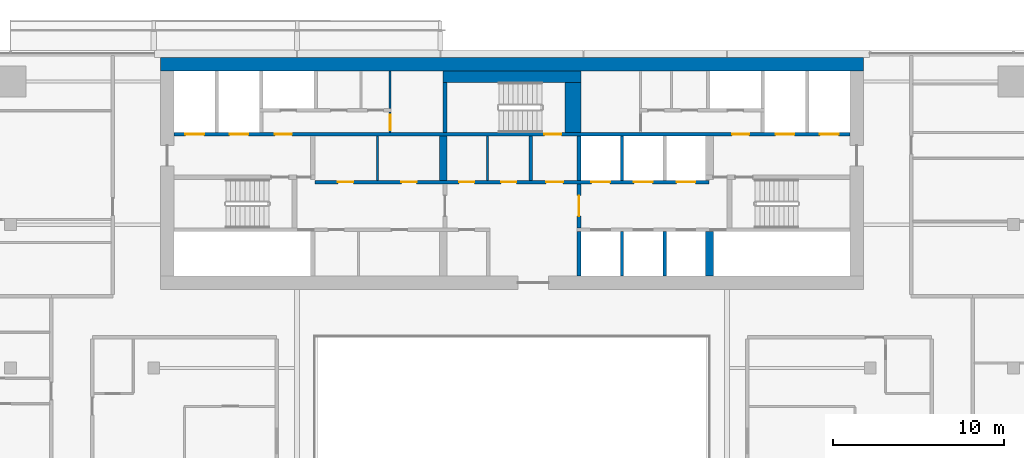
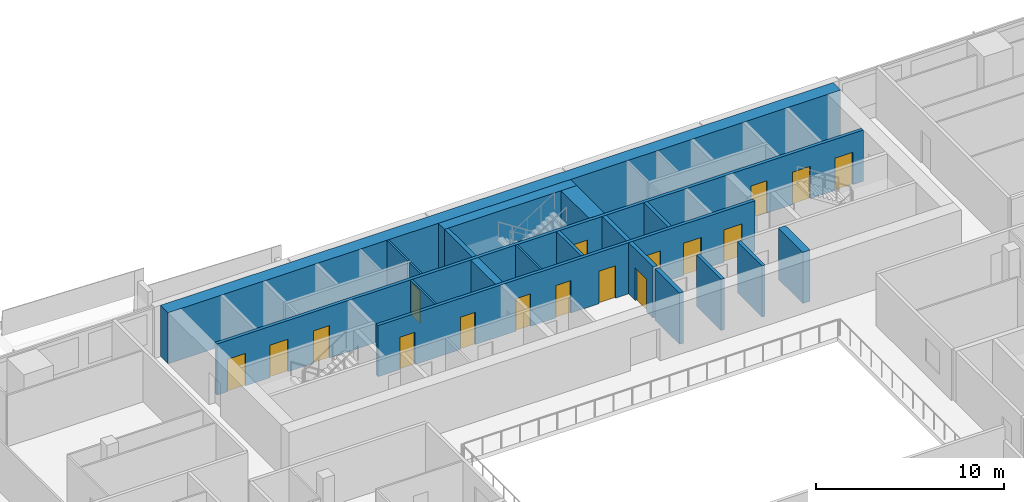
# One storey, part 21 of 28: 19 walls, 17 doors, 17 openings.
"""IFC4 building model written with IfcOpenShell, lengths in metres."""

import ifcopenshell
import ifcopenshell.guid

model = None  # the IFC model being written
_history = None  # IfcOwnerHistory: only IFC2X3 demands one
_inside = {}  # id of a spatial element -> (the spatial element, [elements in it])
_under = {}  # id of a project, library or spatial element -> (it, [spatial elements below it])
_declared = {}  # id of a project -> (the project, [libraries it declares])
_typed = {}  # id of a type object -> (the type object, [elements of that type])
_made_of = {}  # id of a material, layer set ... -> (it, [elements and type objects made of it])


def new_model(schema):
    """Start an empty IFC model of exactly this schema.

    Asked for "IFC4X3", IfcOpenShell would pick the latest addendum, in which some entities
    have other attributes; the version numbers below select the first issue.
    IFC2X3 requires an IfcOwnerHistory on every rooted entity: one is made here for all.
    """
    global model, _history
    if schema == "IFC4X3":
        model = ifcopenshell.file(schema_version=(4, 3, 0, 0))
    else:
        model = ifcopenshell.file(schema=schema)
    _inside.clear()
    _under.clear()
    _declared.clear()
    _typed.clear()
    _made_of.clear()
    _history = None
    if model.schema == "IFC2X3":
        org = make("IfcOrganization", Name="unknown")
        user = make(
            "IfcPersonAndOrganization",
            ThePerson=make("IfcPerson", FamilyName="unknown"),
            TheOrganization=org,
        )
        app = make(
            "IfcApplication",
            ApplicationDeveloper=org,
            Version="unknown",
            ApplicationFullName="unknown",
            ApplicationIdentifier="unknown",
        )
        _history = make(
            "IfcOwnerHistory",
            OwningUser=user,
            OwningApplication=app,
            ChangeAction="ADDED",
            CreationDate=0,
        )
    return model


def make(cls, **values):
    """One entity of the class cls with the attributes given. An attribute that is None is left unset."""
    return model.create_entity(
        cls, **{name: value for name, value in values.items() if value is not None}
    )


def rooted(cls, **values):
    """An entity with a GlobalId (a new one), such as an element, a storey or a relation."""
    return make(cls, GlobalId=ifcopenshell.guid.new(), OwnerHistory=_history, **values)


def si_unit(unit_type, name, prefix=None):
    """IfcSIUnit, for example si_unit("LENGTHUNIT", "METRE", prefix="MILLI")."""
    return make("IfcSIUnit", UnitType=unit_type, Prefix=prefix, Name=name)


def assignment(units):
    """IfcUnitAssignment: the units of a project."""
    return None if units is None else make("IfcUnitAssignment", Units=units)


def point(xyz):
    """IfcCartesianPoint."""
    return None if xyz is None else make("IfcCartesianPoint", Coordinates=xyz)


def direction(xyz):
    """IfcDirection."""
    return None if xyz is None else make("IfcDirection", DirectionRatios=xyz)


def frame(location, z_axis=None, x_axis=None):
    """IfcAxis2Placement3D, a coordinate frame: its origin and axes. An axis left out is left unset."""
    return make(
        "IfcAxis2Placement3D",
        Location=point(location),
        Axis=direction(z_axis),
        RefDirection=direction(x_axis),
    )


def frame_2d(location, x_axis=None):
    """IfcAxis2Placement2D, a coordinate frame in the plane: its origin and x axis."""
    return make(
        "IfcAxis2Placement2D", Location=point(location), RefDirection=direction(x_axis)
    )


def origin():
    """The frame at (0, 0, 0) with its axes left unset."""
    return frame((0.0, 0.0, 0.0))


def place(relative_to, where):
    """IfcLocalPlacement: puts the frame where relative to a parent placement (None: the world)."""
    return make(
        "IfcLocalPlacement", PlacementRelTo=relative_to, RelativePlacement=where
    )


def context(
    kind, dimensions, precision=None, world=None, true_north=None, identifier=None
):
    """IfcGeometricRepresentationContext, for example the 3D "Model" context."""
    return make(
        "IfcGeometricRepresentationContext",
        ContextIdentifier=identifier,
        ContextType=kind,
        CoordinateSpaceDimension=dimensions,
        Precision=precision,
        WorldCoordinateSystem=world,
        TrueNorth=true_north,
    )


def subcontext(parent, identifier, kind, view, scale=None):
    """IfcGeometricRepresentationSubContext, for example "Body" below "Model"."""
    return make(
        "IfcGeometricRepresentationSubContext",
        ContextIdentifier=identifier,
        ContextType=kind,
        ParentContext=parent,
        TargetScale=scale,
        TargetView=view,
    )


def project(units=None, contexts=None):
    """IfcProject with its units and contexts."""
    return rooted(
        "IfcProject",
        Name="project",
        RepresentationContexts=contexts,
        UnitsInContext=assignment(units),
    )


def spatial(cls, under=None, at=None, **own):
    """A site, building, storey or space (cls), placed at a placement, below another one or the project."""
    s = rooted(cls, ObjectPlacement=at, **own)
    if under is not None:
        _under.setdefault(under.id(), (under, []))[1].append(s)
    return s


def profile(cls, at=None, kind="AREA", **sizes):
    """A parametric profile (cls). Its sizes go by their IFC names, for example OverallWidth=200.0."""
    return make(cls, ProfileType=kind, Position=at, **sizes)


def rectangle(**sizes):
    """IfcRectangleProfileDef."""
    return profile("IfcRectangleProfileDef", **sizes)


def extrude(swept, where, along, depth):
    """IfcExtrudedAreaSolid: the profile swept, set in the frame where, extruded along a direction by depth."""
    return make(
        "IfcExtrudedAreaSolid",
        SweptArea=swept,
        Position=where,
        ExtrudedDirection=direction(along),
        Depth=depth,
    )


def shape(context_of_items, identifier, shape_type, items):
    """IfcShapeRepresentation: the items that make up one representation, for example the "Body"."""
    return make(
        "IfcShapeRepresentation",
        ContextOfItems=context_of_items,
        RepresentationIdentifier=identifier,
        RepresentationType=shape_type,
        Items=items,
    )


def material(Name=None, Category=None):
    """IfcMaterial."""
    return make("IfcMaterial", Name=Name, Category=Category)


def layer(
    of_material, thickness, ventilated=None, Name=None, Category=None, Priority=None
):
    """IfcMaterialLayer: one layer of a wall or slab, of a material (None: an air gap)."""
    return make(
        "IfcMaterialLayer",
        Material=of_material,
        LayerThickness=thickness,
        IsVentilated=ventilated,
        Name=Name,
        Category=Category,
        Priority=Priority,
    )


def layer_set(layers, Name=None):
    """IfcMaterialLayerSet."""
    return make("IfcMaterialLayerSet", MaterialLayers=layers, LayerSetName=Name)


def made_of(thing, what):
    """Note that an element or type object is made of a material, layer set ...; save() writes the relation."""
    if what is not None:
        _made_of.setdefault(what.id(), (what, []))[1].append(thing)
    return thing


def type_object(cls, material=None, **own):
    """A type object (cls), such as IfcWallType, which elements share."""
    return made_of(rooted(cls, **own), material)


def element(
    cls,
    number,
    at=None,
    inside=None,
    cuts=None,
    type_object=None,
    material=None,
    context=None,
    identifier="Body",
    shape_type=None,
    held_by="IfcProductDefinitionShape",
    body=None,
    shapes=None,
    **own,
):
    """One element of the class cls, such as IfcWall. Its Tag is "e" and its number.

    at: its placement. inside: the storey or other place that contains it. cuts: it is an
    opening in that element (IfcRelVoidsElement). A single representation is given by context,
    identifier, shape_type and body (its items); several are given by shapes. held_by: the class
    of the entity that holds the representations. save() writes the other relations.
    """
    e = rooted(cls, Tag="e%d" % number, ObjectPlacement=at, **own)
    if body is not None:
        shapes = [shape(context, identifier, shape_type, body)]
    if shapes is not None:
        e.Representation = make(held_by, Representations=shapes)
    if inside is not None:
        _inside.setdefault(inside.id(), (inside, []))[1].append(e)
    if cuts is not None:
        rooted(
            "IfcRelVoidsElement", RelatingBuildingElement=cuts, RelatedOpeningElement=e
        )
    if type_object is not None:
        _typed.setdefault(type_object.id(), (type_object, []))[1].append(e)
    return made_of(e, material)


def fill(opening, filler):
    """IfcRelFillsElement: the door or window that sits in an opening."""
    return rooted(
        "IfcRelFillsElement",
        RelatingOpeningElement=opening,
        RelatedBuildingElement=filler,
    )


def aggregate(whole, parts):
    """IfcRelAggregates: a whole, such as a stair, and the parts it consists of."""
    return rooted("IfcRelAggregates", RelatingObject=whole, RelatedObjects=parts)


def save(model, path):
    """Write the relations noted so far, then the file.

    IfcRelAggregates (storeys below a building ...), IfcRelContainedInSpatialStructure (elements
    in a storey), IfcRelDefinesByType, IfcRelAssociatesMaterial and IfcRelDeclares: one each for
    every whole, place, type object, material and project.
    """
    for whole, parts in _under.values():
        aggregate(whole, parts)
    for where, things in _inside.values():
        rooted(
            "IfcRelContainedInSpatialStructure",
            RelatedElements=things,
            RelatingStructure=where,
        )
    for kind, things in _typed.values():
        rooted("IfcRelDefinesByType", RelatedObjects=things, RelatingType=kind)
    for what, things in _made_of.values():
        rooted("IfcRelAssociatesMaterial", RelatedObjects=things, RelatingMaterial=what)
    for by, libraries in _declared.values():
        rooted("IfcRelDeclares", RelatingContext=by, RelatedDefinitions=libraries)
    model.write(path)


model = new_model("IFC4")

# Units and contexts
model_context = context("Model", 3, precision=1e-05, world=origin(), true_north=direction((0.0, 1.0)))
body_context = subcontext(model_context, "Body", "Model", "MODEL_VIEW")
ifc_project = project(units=[si_unit("LENGTHUNIT", "METRE"), si_unit("AREAUNIT", "SQUARE_METRE"), si_unit("VOLUMEUNIT", "CUBIC_METRE"), si_unit("PLANEANGLEUNIT", "RADIAN"), si_unit("MASSUNIT", "GRAM", prefix="KILO")], contexts=[model_context])

# Site, building, storey
site_placement = place(None, origin())
site = spatial("IfcSite", under=ifc_project, at=site_placement, CompositionType="ELEMENT")
building_placement = place(site_placement, origin())
building = spatial("IfcBuilding", under=site, at=building_placement, Name="Saffron Gate Tower", CompositionType="ELEMENT")
storey_placement = place(building_placement, frame((0.0, 0.0, 176.25)))
storey = spatial("IfcBuildingStorey", under=building, at=storey_placement, Name="L43", CompositionType="ELEMENT", Elevation=176.25)

# Walls
ifc_material_1 = material(Name="Gypsum board partition on steel studs", Category="steel")
ifc_layer_1 = layer(ifc_material_1, 0.199951171875)
ifc_layer_set_1 = layer_set([ifc_layer_1], Name="CW10 Core partition 200")
wall_type_1 = type_object("IfcWallType", Name="CW10 Core partition 200", PredefinedType="PARTITIONING", material=ifc_layer_set_1)
wall_1_placement = place(storey_placement, frame((88.699951171875, 68.0, 0.0), z_axis=(0.0, 0.0, 1.0), x_axis=(0.0, 1.0, 0.0)))
element("IfcWall", 1, at=wall_1_placement, inside=storey, type_object=wall_type_1, Name="Wall CW10-L43-23", PredefinedType="PARTITIONING", context=body_context, shape_type="SweptSolid", body=[
    extrude(rectangle(XDim=2.60009765625, YDim=0.199951171875, at=frame_2d((1.300048828125, 0.0))), origin(), (0.0, 0.0, 1.0), 3.320068359375),
])
ifc_material_2 = material(Name="Concrete C60", Category="concrete")
ifc_layer_2 = layer(ifc_material_2, 0.800048828125)
ifc_layer_set_2 = layer_set([ifc_layer_2], Name="CW13 RC core wall 800 C60")
wall_type_2 = type_object("IfcWallType", Name="CW13 RC core wall 800 C60", PredefinedType="SOLIDWALL", material=ifc_layer_set_2)
wall_2_placement = place(storey_placement, frame((67.0, 74.800048828125, 0.0), z_axis=(0.0, 0.0, 1.0), x_axis=(1.0, 0.0, 0.0)))
element("IfcWall", 2, at=wall_2_placement, inside=storey, type_object=wall_type_2, Name="Wall CW13-L43-2", PredefinedType="SOLIDWALL", context=body_context, shape_type="SweptSolid", body=[
    extrude(rectangle(XDim=41.199951171875, YDim=0.800048828125, at=frame_2d((20.60009765625, 0.0))), origin(), (0.0, 0.0, 1.0), 3.320068359375),
])
ifc_layer_3 = layer(ifc_material_2, 0.25)
ifc_layer_set_3 = layer_set([ifc_layer_3], Name="CW14 RC core wall 250 C60")
wall_type_3 = type_object("IfcWallType", Name="CW14 RC core wall 250 C60", PredefinedType="SOLIDWALL", material=ifc_layer_set_3)
wall_3_placement = place(storey_placement, frame((91.52490234375, 62.39990234375, 0.0), z_axis=(0.0, 0.0, 1.0), x_axis=(0.0, 1.0, 0.0)))
element("IfcWall", 3, at=wall_3_placement, inside=storey, type_object=wall_type_3, Name="Wall CW14-L43-9", PredefinedType="SOLIDWALL", context=body_context, shape_type="SweptSolid", body=[
    extrude(rectangle(XDim=2.60009765625, YDim=0.25, at=frame_2d((1.300048828125, 0.0))), origin(), (0.0, 0.0, 1.0), 3.320068359375),
])

# Wall, opening, door
wall_4_placement = place(storey_placement, frame((91.52490234375, 65.199951171875, 0.0), z_axis=(0.0, 0.0, 1.0), x_axis=(0.0, 1.0, 0.0)))
wall_4 = element("IfcWall", 4, at=wall_4_placement, inside=storey, type_object=wall_type_3, Name="Wall CW14-L43-17", PredefinedType="SOLIDWALL", context=body_context, shape_type="SweptSolid", body=[
    extrude(rectangle(XDim=2.60009765625, YDim=0.25, at=frame_2d((1.300048828125, 0.0))), origin(), (0.0, 0.0, 1.0), 3.320068359375),
])
opening_1_placement = place(wall_4_placement, frame((0.699951171875, 0.0, 0.0)))
opening_1 = element("IfcOpeningElement", 5, at=opening_1_placement, cuts=wall_4, Name="Opening CR-01", PredefinedType="OPENING", context=body_context, shape_type="SweptSolid", body=[
    extrude(rectangle(XDim=1.199951171875, YDim=2.10009765625, at=frame_2d((0.60009765625, 1.050048828125))), frame((0.0, 0.135009765625, 0.0), z_axis=(0.0, -1.0, 0.0), x_axis=(1.0, 0.0, 0.0)), (0.0, 0.0, 1.0), 0.27001953125),
])
ifc_material_3 = material(Name="Steel fire door set", Category="steel")
door_type_1 = type_object("IfcDoorType", Name="CD3 Lobby door 1200x2100 EI 120", OperationType="NOTDEFINED", PredefinedType="DOOR", material=ifc_material_3)
door_1_placement = place(opening_1_placement, origin())
door_1 = element("IfcDoor", 6, at=door_1_placement, inside=storey, type_object=door_type_1, Name="DOOR CR-01", OperationType="SINGLE_SWING_RIGHT", OverallHeight=2.10009765625, OverallWidth=1.199951171875, PredefinedType="DOOR", context=body_context, shape_type="SweptSolid", body=[
    extrude(rectangle(XDim=1.199951171875, YDim=2.10009765625, at=frame_2d((0.60009765625, 1.050048828125))), frame((0.0, 0.02490234375, 0.0), z_axis=(0.0, -1.0, 0.0), x_axis=(1.0, 0.0, 0.0)), (0.0, 0.0, 1.0), 0.050048828125),
])
fill(opening_1, door_1)

# Walls
wall_5_placement = place(storey_placement, frame((91.52490234375, 68.0, 0.0), z_axis=(0.0, 0.0, 1.0), x_axis=(0.0, 1.0, 0.0)))
element("IfcWall", 7, at=wall_5_placement, inside=storey, type_object=wall_type_3, Name="Wall CW14-L43-24", PredefinedType="SOLIDWALL", context=body_context, shape_type="SweptSolid", body=[
    extrude(rectangle(XDim=2.60009765625, YDim=0.25, at=frame_2d((1.300048828125, 0.0))), origin(), (0.0, 0.0, 1.0), 3.320068359375),
])
wall_6_placement = place(storey_placement, frame((83.675048828125, 70.800048828125, 0.0), z_axis=(0.0, 0.0, 1.0), x_axis=(0.0, 1.0, 0.0)))
element("IfcWall", 8, at=wall_6_placement, inside=storey, type_object=wall_type_3, Name="Wall CW14-L43-36", PredefinedType="SOLIDWALL", context=body_context, shape_type="SweptSolid", body=[
    extrude(rectangle(XDim=2.949951171875, YDim=0.25, at=frame_2d((1.47509765625, 0.0))), origin(), (0.0, 0.0, 1.0), 3.320068359375),
])
ifc_layer_4 = layer(ifc_material_2, 0.199951171875)
ifc_layer_set_4 = layer_set([ifc_layer_4], Name="CW15 RC core wall 200 C60")
wall_type_4 = type_object("IfcWallType", Name="CW15 RC core wall 200 C60", PredefinedType="SOLIDWALL", material=ifc_layer_set_4)
for number, where, z_axis, x_axis, name in (
    (9, (94.050048828125, 62.39990234375, 0.0), (0.0, 0.0, 1.0), (0.0, 1.0, 0.0), "Wall CW15-L43-10"),
    (10, (96.550048828125, 62.39990234375, 0.0), (0.0, 0.0, 1.0), (0.0, 1.0, 0.0), "Wall CW15-L43-11"),
):
    element("IfcWall", number, at=place(storey_placement, frame(where, z_axis=z_axis, x_axis=x_axis)), inside=storey, type_object=wall_type_4, Name=name, PredefinedType="SOLIDWALL", context=body_context, shape_type="SweptSolid", body=[
        extrude(rectangle(XDim=2.60009765625, YDim=0.199951171875, at=frame_2d((1.300048828125, 0.0))), origin(), (0.0, 0.0, 1.0), 3.320068359375),
    ])

# Wall, openings, doors
wall_7_placement = place(storey_placement, frame((76.050048828125, 67.89990234375, 0.0), z_axis=(0.0, 0.0, 1.0), x_axis=(1.0, 0.0, 0.0)))
wall_7 = element("IfcWall", 11, at=wall_7_placement, inside=storey, type_object=wall_type_4, Name="Wall CW15-L43-19", PredefinedType="SOLIDWALL", context=body_context, shape_type="SweptSolid", body=[
    extrude(rectangle(XDim=23.099853515625, YDim=0.199951171875, at=frame_2d((11.5498046875, 0.0))), origin(), (0.0, 0.0, 1.0), 3.320068359375),
])
opening_2_placement = place(wall_7_placement, frame((1.35009765625, 0.0, 0.0)))
opening_2 = element("IfcOpeningElement", 12, at=opening_2_placement, cuts=wall_7, Name="Opening CR-61", PredefinedType="OPENING", context=body_context, shape_type="SweptSolid", body=[
    extrude(rectangle(XDim=0.89990234375, YDim=2.10009765625, at=frame_2d((0.449951171875, 1.050048828125))), frame((0.0, 0.10986328125, 0.0), z_axis=(0.0, -1.0, 0.0), x_axis=(1.0, 0.0, 0.0)), (0.0, 0.0, 1.0), 0.219970703125),
])
opening_3_placement = place(wall_7_placement, frame((5.06005859375, 0.0, 0.0)))
opening_3 = element("IfcOpeningElement", 13, at=opening_3_placement, cuts=wall_7, Name="Opening CR-62", PredefinedType="OPENING", context=body_context, shape_type="SweptSolid", body=[
    extrude(rectangle(XDim=0.89990234375, YDim=2.10009765625, at=frame_2d((0.449951171875, 1.050048828125))), frame((0.0, 0.10986328125, 0.0), z_axis=(0.0, -1.0, 0.0), x_axis=(1.0, 0.0, 0.0)), (0.0, 0.0, 1.0), 0.219970703125),
])
opening_4_placement = place(wall_7_placement, frame((8.449951171875, 0.0, 0.0)))
opening_4 = element("IfcOpeningElement", 14, at=opening_4_placement, cuts=wall_7, Name="Opening CR-67", PredefinedType="OPENING", context=body_context, shape_type="SweptSolid", body=[
    extrude(rectangle(XDim=0.89990234375, YDim=2.10009765625, at=frame_2d((0.449951171875, 1.050048828125))), frame((0.0, 0.10986328125, 0.0), z_axis=(0.0, -1.0, 0.0), x_axis=(1.0, 0.0, 0.0)), (0.0, 0.0, 1.0), 0.219970703125),
])
opening_5_placement = place(wall_7_placement, frame((10.909912109375, 0.0, 0.0)))
opening_5 = element("IfcOpeningElement", 15, at=opening_5_placement, cuts=wall_7, Name="Opening CR-68", PredefinedType="OPENING", context=body_context, shape_type="SweptSolid", body=[
    extrude(rectangle(XDim=0.89990234375, YDim=2.10009765625, at=frame_2d((0.449951171875, 1.050048828125))), frame((0.0, 0.10986328125, 0.0), z_axis=(0.0, -1.0, 0.0), x_axis=(1.0, 0.0, 0.0)), (0.0, 0.0, 1.0), 0.219970703125),
])
opening_6_placement = place(wall_7_placement, frame((13.550048828125, 0.0, 0.0)))
opening_6 = element("IfcOpeningElement", 16, at=opening_6_placement, cuts=wall_7, Name="Opening CR-02", PredefinedType="OPENING", context=body_context, shape_type="SweptSolid", body=[
    extrude(rectangle(XDim=1.0, YDim=2.10009765625, at=frame_2d((0.5, 1.050048828125))), frame((0.0, 0.10986328125, 0.0), z_axis=(0.0, -1.0, 0.0), x_axis=(1.0, 0.0, 0.0)), (0.0, 0.0, 1.0), 0.219970703125),
])
opening_7_placement = place(wall_7_placement, frame((16.199951171875, 0.0, 0.0)))
opening_7 = element("IfcOpeningElement", 17, at=opening_7_placement, cuts=wall_7, Name="Opening LD-HR4", PredefinedType="OPENING", context=body_context, shape_type="SweptSolid", body=[
    extrude(rectangle(XDim=1.10009765625, YDim=2.10009765625, at=frame_2d((0.550048828125, 1.050048828125))), frame((0.0, 0.10986328125, 0.0), z_axis=(0.0, -1.0, 0.0), x_axis=(1.0, 0.0, 0.0)), (0.0, 0.0, 1.0), 0.219970703125),
])
opening_8_placement = place(wall_7_placement, frame((18.699951171875, 0.0, 0.0)))
opening_8 = element("IfcOpeningElement", 18, at=opening_8_placement, cuts=wall_7, Name="Opening LD-HR5", PredefinedType="OPENING", context=body_context, shape_type="SweptSolid", body=[
    extrude(rectangle(XDim=1.10009765625, YDim=2.10009765625, at=frame_2d((0.550048828125, 1.050048828125))), frame((0.0, 0.10986328125, 0.0), z_axis=(0.0, -1.0, 0.0), x_axis=(1.0, 0.0, 0.0)), (0.0, 0.0, 1.0), 0.219970703125),
])
opening_9_placement = place(wall_7_placement, frame((21.199951171875, 0.0, 0.0)))
opening_9 = element("IfcOpeningElement", 19, at=opening_9_placement, cuts=wall_7, Name="Opening LD-HR6", PredefinedType="OPENING", context=body_context, shape_type="SweptSolid", body=[
    extrude(rectangle(XDim=1.10009765625, YDim=2.10009765625, at=frame_2d((0.550048828125, 1.050048828125))), frame((0.0, 0.10986328125, 0.0), z_axis=(0.0, -1.0, 0.0), x_axis=(1.0, 0.0, 0.0)), (0.0, 0.0, 1.0), 0.219970703125),
])
door_type_2 = type_object("IfcDoorType", Name="CD4 Lobby door 1000x2100 EI 120", OperationType="NOTDEFINED", PredefinedType="DOOR", material=ifc_material_3)
door_2_placement = place(opening_6_placement, origin())
door_2 = element("IfcDoor", 20, at=door_2_placement, inside=storey, type_object=door_type_2, Name="DOOR CR-02", OperationType="SINGLE_SWING_LEFT", OverallHeight=2.10009765625, OverallWidth=1.0, PredefinedType="DOOR", context=body_context, shape_type="SweptSolid", body=[
    extrude(rectangle(XDim=1.0, YDim=2.10009765625, at=frame_2d((0.5, 1.050048828125))), frame((0.0, 0.02490234375, 0.0), z_axis=(0.0, -1.0, 0.0), x_axis=(1.0, 0.0, 0.0)), (0.0, 0.0, 1.0), 0.050048828125),
])
fill(opening_6, door_2)
door_type_3 = type_object("IfcDoorType", Name="CD9 Room door 900x2100 EI 60", OperationType="NOTDEFINED", PredefinedType="DOOR", material=ifc_material_3)
door_3_placement = place(opening_2_placement, origin())
door_3 = element("IfcDoor", 21, at=door_3_placement, inside=storey, type_object=door_type_3, Name="DOOR CR-61", OperationType="SINGLE_SWING_LEFT", OverallHeight=2.10009765625, OverallWidth=0.89990234375, PredefinedType="DOOR", context=body_context, shape_type="SweptSolid", body=[
    extrude(rectangle(XDim=0.89990234375, YDim=2.10009765625, at=frame_2d((0.449951171875, 1.050048828125))), frame((0.0, 0.02490234375, 0.0), z_axis=(0.0, -1.0, 0.0), x_axis=(1.0, 0.0, 0.0)), (0.0, 0.0, 1.0), 0.050048828125),
])
fill(opening_2, door_3)
door_4_placement = place(opening_3_placement, origin())
door_4 = element("IfcDoor", 22, at=door_4_placement, inside=storey, type_object=door_type_3, Name="DOOR CR-62", OperationType="SINGLE_SWING_LEFT", OverallHeight=2.10009765625, OverallWidth=0.89990234375, PredefinedType="DOOR", context=body_context, shape_type="SweptSolid", body=[
    extrude(rectangle(XDim=0.89990234375, YDim=2.10009765625, at=frame_2d((0.449951171875, 1.050048828125))), frame((0.0, 0.02490234375, 0.0), z_axis=(0.0, -1.0, 0.0), x_axis=(1.0, 0.0, 0.0)), (0.0, 0.0, 1.0), 0.050048828125),
])
fill(opening_3, door_4)
door_5_placement = place(opening_4_placement, origin())
door_5 = element("IfcDoor", 23, at=door_5_placement, inside=storey, type_object=door_type_3, Name="DOOR CR-67", OperationType="SINGLE_SWING_LEFT", OverallHeight=2.10009765625, OverallWidth=0.89990234375, PredefinedType="DOOR", context=body_context, shape_type="SweptSolid", body=[
    extrude(rectangle(XDim=0.89990234375, YDim=2.10009765625, at=frame_2d((0.449951171875, 1.050048828125))), frame((0.0, 0.02490234375, 0.0), z_axis=(0.0, -1.0, 0.0), x_axis=(1.0, 0.0, 0.0)), (0.0, 0.0, 1.0), 0.050048828125),
])
fill(opening_4, door_5)
door_6_placement = place(opening_5_placement, origin())
door_6 = element("IfcDoor", 24, at=door_6_placement, inside=storey, type_object=door_type_3, Name="DOOR CR-68", OperationType="SINGLE_SWING_LEFT", OverallHeight=2.10009765625, OverallWidth=0.89990234375, PredefinedType="DOOR", context=body_context, shape_type="SweptSolid", body=[
    extrude(rectangle(XDim=0.89990234375, YDim=2.10009765625, at=frame_2d((0.449951171875, 1.050048828125))), frame((0.0, 0.02490234375, 0.0), z_axis=(0.0, -1.0, 0.0), x_axis=(1.0, 0.0, 0.0)), (0.0, 0.0, 1.0), 0.050048828125),
])
fill(opening_5, door_6)
ifc_material_4 = material(Name="Stainless steel landing door", Category="steel")
door_type_4 = type_object("IfcDoorType", Name="LD Lift landing door 1100x2100 EI 120", OperationType="SLIDING_TO_LEFT", PredefinedType="DOOR", material=ifc_material_4)
door_7_placement = place(opening_7_placement, origin())
door_7 = element("IfcDoor", 25, at=door_7_placement, inside=storey, type_object=door_type_4, Name="LANDING DOOR LD-HR4", OperationType="SLIDING_TO_RIGHT", OverallHeight=2.10009765625, OverallWidth=1.10009765625, PredefinedType="DOOR", context=body_context, shape_type="SweptSolid", body=[
    extrude(rectangle(XDim=1.10009765625, YDim=2.10009765625, at=frame_2d((0.550048828125, 1.050048828125))), frame((0.0, 0.02490234375, 0.0), z_axis=(0.0, -1.0, 0.0), x_axis=(1.0, 0.0, 0.0)), (0.0, 0.0, 1.0), 0.050048828125),
])
fill(opening_7, door_7)
door_8_placement = place(opening_8_placement, origin())
door_8 = element("IfcDoor", 26, at=door_8_placement, inside=storey, type_object=door_type_4, Name="LANDING DOOR LD-HR5", OperationType="SLIDING_TO_RIGHT", OverallHeight=2.10009765625, OverallWidth=1.10009765625, PredefinedType="DOOR", context=body_context, shape_type="SweptSolid", body=[
    extrude(rectangle(XDim=1.10009765625, YDim=2.10009765625, at=frame_2d((0.550048828125, 1.050048828125))), frame((0.0, 0.02490234375, 0.0), z_axis=(0.0, -1.0, 0.0), x_axis=(1.0, 0.0, 0.0)), (0.0, 0.0, 1.0), 0.050048828125),
])
fill(opening_8, door_8)
door_9_placement = place(opening_9_placement, origin())
door_9 = element("IfcDoor", 27, at=door_9_placement, inside=storey, type_object=door_type_4, Name="LANDING DOOR LD-HR6", OperationType="SLIDING_TO_RIGHT", OverallHeight=2.10009765625, OverallWidth=1.10009765625, PredefinedType="DOOR", context=body_context, shape_type="SweptSolid", body=[
    extrude(rectangle(XDim=1.10009765625, YDim=2.10009765625, at=frame_2d((0.550048828125, 1.050048828125))), frame((0.0, 0.02490234375, 0.0), z_axis=(0.0, -1.0, 0.0), x_axis=(1.0, 0.0, 0.0)), (0.0, 0.0, 1.0), 0.050048828125),
])
fill(opening_9, door_9)

# Wall
wall_8_placement = place(storey_placement, frame((94.050048828125, 68.0, 0.0), z_axis=(0.0, 0.0, 1.0), x_axis=(0.0, 1.0, 0.0)))
element("IfcWall", 28, at=wall_8_placement, inside=storey, type_object=wall_type_4, Name="Wall CW15-L43-25", PredefinedType="SOLIDWALL", context=body_context, shape_type="SweptSolid", body=[
    extrude(rectangle(XDim=2.60009765625, YDim=0.199951171875, at=frame_2d((1.300048828125, 0.0))), origin(), (0.0, 0.0, 1.0), 3.320068359375),
])

# Wall, openings, doors
wall_9_placement = place(storey_placement, frame((67.800048828125, 70.699951171875, 0.0), z_axis=(0.0, 0.0, 1.0), x_axis=(1.0, 0.0, 0.0)))
wall_9 = element("IfcWall", 29, at=wall_9_placement, inside=storey, type_object=wall_type_4, Name="Wall CW15-L43-32", PredefinedType="SOLIDWALL", context=body_context, shape_type="SweptSolid", body=[
    extrude(rectangle(XDim=39.599853515625, YDim=0.199951171875, at=frame_2d((19.7998046875, 0.0))), origin(), (0.0, 0.0, 1.0), 3.320068359375),
])
opening_10_placement = place(wall_9_placement, frame((0.64990234375, 0.0, 0.0)))
opening_10 = element("IfcOpeningElement", 30, at=opening_10_placement, cuts=wall_9, Name="Opening LD-FF1", PredefinedType="OPENING", context=body_context, shape_type="SweptSolid", body=[
    extrude(rectangle(XDim=1.10009765625, YDim=2.10009765625, at=frame_2d((0.550048828125, 1.050048828125))), frame((0.0, 0.10986328125, 0.0), z_axis=(0.0, -1.0, 0.0), x_axis=(1.0, 0.0, 0.0)), (0.0, 0.0, 1.0), 0.219970703125),
])
opening_11_placement = place(wall_9_placement, frame((3.25, 0.0, 0.0)))
opening_11 = element("IfcOpeningElement", 31, at=opening_11_placement, cuts=wall_9, Name="Opening LD-SV1", PredefinedType="OPENING", context=body_context, shape_type="SweptSolid", body=[
    extrude(rectangle(XDim=1.10009765625, YDim=2.10009765625, at=frame_2d((0.550048828125, 1.050048828125))), frame((0.0, 0.10986328125, 0.0), z_axis=(0.0, -1.0, 0.0), x_axis=(1.0, 0.0, 0.0)), (0.0, 0.0, 1.0), 0.219970703125),
])
opening_12_placement = place(wall_9_placement, frame((5.89990234375, 0.0, 0.0)))
opening_12 = element("IfcOpeningElement", 32, at=opening_12_placement, cuts=wall_9, Name="Opening CR-03", PredefinedType="OPENING", context=body_context, shape_type="SweptSolid", body=[
    extrude(rectangle(XDim=1.0, YDim=2.10009765625, at=frame_2d((0.5, 1.050048828125))), frame((0.0, 0.10986328125, 0.0), z_axis=(0.0, -1.0, 0.0), x_axis=(1.0, 0.0, 0.0)), (0.0, 0.0, 1.0), 0.219970703125),
])
opening_13_placement = place(wall_9_placement, frame((21.699951171875, 0.0, 0.0)))
opening_13 = element("IfcOpeningElement", 33, at=opening_13_placement, cuts=wall_9, Name="Opening CR-17", PredefinedType="OPENING", context=body_context, shape_type="SweptSolid", body=[
    extrude(rectangle(XDim=1.0, YDim=2.10009765625, at=frame_2d((0.5, 1.050048828125))), frame((0.0, 0.10986328125, 0.0), z_axis=(0.0, -1.0, 0.0), x_axis=(1.0, 0.0, 0.0)), (0.0, 0.0, 1.0), 0.219970703125),
])
opening_14_placement = place(wall_9_placement, frame((32.699951171875, 0.0, 0.0)))
opening_14 = element("IfcOpeningElement", 34, at=opening_14_placement, cuts=wall_9, Name="Opening CR-04", PredefinedType="OPENING", context=body_context, shape_type="SweptSolid", body=[
    extrude(rectangle(XDim=1.0, YDim=2.10009765625, at=frame_2d((0.5, 1.050048828125))), frame((0.0, 0.10986328125, 0.0), z_axis=(0.0, -1.0, 0.0), x_axis=(1.0, 0.0, 0.0)), (0.0, 0.0, 1.0), 0.219970703125),
])
opening_15_placement = place(wall_9_placement, frame((35.25, 0.0, 0.0)))
opening_15 = element("IfcOpeningElement", 35, at=opening_15_placement, cuts=wall_9, Name="Opening LD-SV2", PredefinedType="OPENING", context=body_context, shape_type="SweptSolid", body=[
    extrude(rectangle(XDim=1.10009765625, YDim=2.10009765625, at=frame_2d((0.550048828125, 1.050048828125))), frame((0.0, 0.10986328125, 0.0), z_axis=(0.0, -1.0, 0.0), x_axis=(1.0, 0.0, 0.0)), (0.0, 0.0, 1.0), 0.219970703125),
])
opening_16_placement = place(wall_9_placement, frame((37.85009765625, 0.0, 0.0)))
opening_16 = element("IfcOpeningElement", 36, at=opening_16_placement, cuts=wall_9, Name="Opening LD-FF2", PredefinedType="OPENING", context=body_context, shape_type="SweptSolid", body=[
    extrude(rectangle(XDim=1.10009765625, YDim=2.10009765625, at=frame_2d((0.550048828125, 1.050048828125))), frame((0.0, 0.10986328125, 0.0), z_axis=(0.0, -1.0, 0.0), x_axis=(1.0, 0.0, 0.0)), (0.0, 0.0, 1.0), 0.219970703125),
])
door_10_placement = place(opening_12_placement, origin())
door_10 = element("IfcDoor", 37, at=door_10_placement, inside=storey, type_object=door_type_2, Name="DOOR CR-03", OperationType="SINGLE_SWING_LEFT", OverallHeight=2.10009765625, OverallWidth=1.0, PredefinedType="DOOR", context=body_context, shape_type="SweptSolid", body=[
    extrude(rectangle(XDim=1.0, YDim=2.10009765625, at=frame_2d((0.5, 1.050048828125))), frame((0.0, 0.02490234375, 0.0), z_axis=(0.0, -1.0, 0.0), x_axis=(1.0, 0.0, 0.0)), (0.0, 0.0, 1.0), 0.050048828125),
])
fill(opening_12, door_10)
door_11_placement = place(opening_14_placement, origin())
door_11 = element("IfcDoor", 38, at=door_11_placement, inside=storey, type_object=door_type_2, Name="DOOR CR-04", OperationType="SINGLE_SWING_RIGHT", OverallHeight=2.10009765625, OverallWidth=1.0, PredefinedType="DOOR", context=body_context, shape_type="SweptSolid", body=[
    extrude(rectangle(XDim=1.0, YDim=2.10009765625, at=frame_2d((0.5, 1.050048828125))), frame((0.0, 0.02490234375, 0.0), z_axis=(0.0, -1.0, 0.0), x_axis=(1.0, 0.0, 0.0)), (0.0, 0.0, 1.0), 0.050048828125),
])
fill(opening_14, door_11)
door_type_5 = type_object("IfcDoorType", Name="CD5 Stair door 1000x2100 EI 120", OperationType="NOTDEFINED", PredefinedType="DOOR", material=ifc_material_3)
door_12_placement = place(opening_13_placement, origin())
door_12 = element("IfcDoor", 39, at=door_12_placement, inside=storey, type_object=door_type_5, Name="DOOR CR-17", OperationType="SINGLE_SWING_RIGHT", OverallHeight=2.10009765625, OverallWidth=1.0, PredefinedType="DOOR", context=body_context, shape_type="SweptSolid", body=[
    extrude(rectangle(XDim=1.0, YDim=2.10009765625, at=frame_2d((0.5, 1.050048828125))), frame((0.0, 0.02490234375, 0.0), z_axis=(0.0, -1.0, 0.0), x_axis=(1.0, 0.0, 0.0)), (0.0, 0.0, 1.0), 0.050048828125),
])
fill(opening_13, door_12)
door_13_placement = place(opening_10_placement, origin())
door_13 = element("IfcDoor", 40, at=door_13_placement, inside=storey, type_object=door_type_4, Name="LANDING DOOR LD-FF1", OperationType="SLIDING_TO_RIGHT", OverallHeight=2.10009765625, OverallWidth=1.10009765625, PredefinedType="DOOR", context=body_context, shape_type="SweptSolid", body=[
    extrude(rectangle(XDim=1.10009765625, YDim=2.10009765625, at=frame_2d((0.550048828125, 1.050048828125))), frame((0.0, 0.02490234375, 0.0), z_axis=(0.0, -1.0, 0.0), x_axis=(1.0, 0.0, 0.0)), (0.0, 0.0, 1.0), 0.050048828125),
])
fill(opening_10, door_13)
door_14_placement = place(opening_11_placement, origin())
door_14 = element("IfcDoor", 41, at=door_14_placement, inside=storey, type_object=door_type_4, Name="LANDING DOOR LD-SV1", OperationType="SLIDING_TO_RIGHT", OverallHeight=2.10009765625, OverallWidth=1.10009765625, PredefinedType="DOOR", context=body_context, shape_type="SweptSolid", body=[
    extrude(rectangle(XDim=1.10009765625, YDim=2.10009765625, at=frame_2d((0.550048828125, 1.050048828125))), frame((0.0, 0.02490234375, 0.0), z_axis=(0.0, -1.0, 0.0), x_axis=(1.0, 0.0, 0.0)), (0.0, 0.0, 1.0), 0.050048828125),
])
fill(opening_11, door_14)
door_15_placement = place(opening_15_placement, origin())
door_15 = element("IfcDoor", 42, at=door_15_placement, inside=storey, type_object=door_type_4, Name="LANDING DOOR LD-SV2", OperationType="SLIDING_TO_RIGHT", OverallHeight=2.10009765625, OverallWidth=1.10009765625, PredefinedType="DOOR", context=body_context, shape_type="SweptSolid", body=[
    extrude(rectangle(XDim=1.10009765625, YDim=2.10009765625, at=frame_2d((0.550048828125, 1.050048828125))), frame((0.0, 0.02490234375, 0.0), z_axis=(0.0, -1.0, 0.0), x_axis=(1.0, 0.0, 0.0)), (0.0, 0.0, 1.0), 0.050048828125),
])
fill(opening_15, door_15)
door_16_placement = place(opening_16_placement, origin())
door_16 = element("IfcDoor", 43, at=door_16_placement, inside=storey, type_object=door_type_4, Name="LANDING DOOR LD-FF2", OperationType="SLIDING_TO_RIGHT", OverallHeight=2.10009765625, OverallWidth=1.10009765625, PredefinedType="DOOR", context=body_context, shape_type="SweptSolid", body=[
    extrude(rectangle(XDim=1.10009765625, YDim=2.10009765625, at=frame_2d((0.550048828125, 1.050048828125))), frame((0.0, 0.02490234375, 0.0), z_axis=(0.0, -1.0, 0.0), x_axis=(1.0, 0.0, 0.0)), (0.0, 0.0, 1.0), 0.050048828125),
])
fill(opening_16, door_16)

# Walls
ifc_layer_5 = layer(ifc_material_2, 0.449951171875)
ifc_layer_set_5 = layer_set([ifc_layer_5], Name="CW16 RC core wall 450 C60")
wall_type_5 = type_object("IfcWallType", Name="CW16 RC core wall 450 C60", PredefinedType="SOLIDWALL", material=ifc_layer_set_5)
for number, where, z_axis, x_axis, name in (
    (44, (99.175048828125, 62.39990234375, 0.0), (0.0, 0.0, 1.0), (0.0, 1.0, 0.0), "Wall CW16-L43-12"),
    (45, (83.574951171875, 68.0, 0.0), (0.0, 0.0, 1.0), (0.0, 1.0, 0.0), "Wall CW16-L43-21"),
):
    element("IfcWall", number, at=place(storey_placement, frame(where, z_axis=z_axis, x_axis=x_axis)), inside=storey, type_object=wall_type_5, Name=name, PredefinedType="SOLIDWALL", context=body_context, shape_type="SweptSolid", body=[
        extrude(rectangle(XDim=2.60009765625, YDim=0.449951171875, at=frame_2d((1.300048828125, 0.0))), origin(), (0.0, 0.0, 1.0), 3.320068359375),
    ])
ifc_layer_6 = layer(ifc_material_2, 0.949951171875)
ifc_layer_set_6 = layer_set([ifc_layer_6], Name="CW19 RC core wall 950 C60")
wall_type_6 = type_object("IfcWallType", Name="CW19 RC core wall 950 C60", PredefinedType="SOLIDWALL", material=ifc_layer_set_6)
wall_10_placement = place(storey_placement, frame((91.175048828125, 70.800048828125, 0.0), z_axis=(0.0, 0.0, 1.0), x_axis=(0.0, 1.0, 0.0)))
element("IfcWall", 46, at=wall_10_placement, inside=storey, type_object=wall_type_6, Name="Wall CW19-L43-37", PredefinedType="SOLIDWALL", context=body_context, shape_type="SweptSolid", body=[
    extrude(rectangle(XDim=2.949951171875, YDim=0.949951171875, at=frame_2d((1.47509765625, 0.0))), origin(), (0.0, 0.0, 1.0), 3.320068359375),
])
ifc_layer_7 = layer(ifc_material_2, 0.64990234375)
ifc_layer_set_7 = layer_set([ifc_layer_7], Name="CW20 RC core wall 650 C60")
wall_type_7 = type_object("IfcWallType", Name="CW20 RC core wall 650 C60", PredefinedType="SOLIDWALL", material=ifc_layer_set_7)
wall_11_placement = place(storey_placement, frame((83.550048828125, 74.074951171875, 0.0), z_axis=(0.0, 0.0, 1.0), x_axis=(1.0, 0.0, 0.0)))
element("IfcWall", 47, at=wall_11_placement, inside=storey, type_object=wall_type_7, Name="Wall CW20-L43-51", PredefinedType="SOLIDWALL", context=body_context, shape_type="SweptSolid", body=[
    extrude(rectangle(XDim=8.099853515625, YDim=0.64990234375, at=frame_2d((4.0498046875, 0.0))), origin(), (0.0, 0.0, 1.0), 3.320068359375),
])
ifc_layer_8 = layer(ifc_material_1, 0.1201171875)
ifc_layer_set_8 = layer_set([ifc_layer_8], Name="CW8 Core partition 120")
wall_type_8 = type_object("IfcWallType", Name="CW8 Core partition 120", PredefinedType="PARTITIONING", material=ifc_layer_set_8)
for number, where, z_axis, x_axis, name in (
    (48, (79.7099609375, 68.0, 0.0), (0.0, 0.0, 1.0), (0.0, 1.0, 0.0), "Wall CW8-L43-20"),
    (49, (86.159912109375, 68.0, 0.0), (0.0, 0.0, 1.0), (0.0, 1.0, 0.0), "Wall CW8-L43-22"),
):
    element("IfcWall", number, at=place(storey_placement, frame(where, z_axis=z_axis, x_axis=x_axis)), inside=storey, type_object=wall_type_8, Name=name, PredefinedType="PARTITIONING", context=body_context, shape_type="SweptSolid", body=[
        extrude(rectangle(XDim=2.60009765625, YDim=0.1201171875, at=frame_2d((1.300048828125, 0.0))), origin(), (0.0, 0.0, 1.0), 3.320068359375),
    ])

# Wall, opening, door
wall_12_placement = place(storey_placement, frame((80.4599609375, 70.800048828125, 0.0), z_axis=(0.0, 0.0, 1.0), x_axis=(0.0, 1.0, 0.0)))
wall_12 = element("IfcWall", 50, at=wall_12_placement, inside=storey, type_object=wall_type_8, Name="Wall CW8-L43-35", PredefinedType="PARTITIONING", context=body_context, shape_type="SweptSolid", body=[
    extrude(rectangle(XDim=1.199951171875, YDim=0.1201171875, at=frame_2d((0.60009765625, 0.0))), origin(), (0.0, 0.0, 1.0), 3.320068359375),
])
opening_17_placement = place(wall_12_placement, frame((0.14990234375, 0.0, 0.0)))
opening_17 = element("IfcOpeningElement", 51, at=opening_17_placement, cuts=wall_12, Name="Opening CR-60", PredefinedType="OPENING", context=body_context, shape_type="SweptSolid", body=[
    extrude(rectangle(XDim=0.89990234375, YDim=2.10009765625, at=frame_2d((0.449951171875, 1.050048828125))), frame((0.0, 0.070068359375, 0.0), z_axis=(0.0, -1.0, 0.0), x_axis=(1.0, 0.0, 0.0)), (0.0, 0.0, 1.0), 0.14013671875),
])
door_17_placement = place(opening_17_placement, origin())
door_17 = element("IfcDoor", 52, at=door_17_placement, inside=storey, type_object=door_type_3, Name="DOOR CR-60", OperationType="SINGLE_SWING_RIGHT", OverallHeight=2.10009765625, OverallWidth=0.89990234375, PredefinedType="DOOR", context=body_context, shape_type="SweptSolid", body=[
    extrude(rectangle(XDim=0.89990234375, YDim=2.10009765625, at=frame_2d((0.449951171875, 1.050048828125))), frame((0.0, 0.02490234375, 0.0), z_axis=(0.0, -1.0, 0.0), x_axis=(1.0, 0.0, 0.0)), (0.0, 0.0, 1.0), 0.050048828125),
])
fill(opening_17, door_17)

# Wall
wall_13_placement = place(storey_placement, frame((80.4599609375, 72.199951171875, 0.0), z_axis=(0.0, 0.0, 1.0), x_axis=(0.0, 1.0, 0.0)))
element("IfcWall", 53, at=wall_13_placement, inside=storey, type_object=wall_type_8, Name="Wall CW8-L43-46", PredefinedType="PARTITIONING", context=body_context, shape_type="SweptSolid", body=[
    extrude(rectangle(XDim=2.199951171875, YDim=0.1201171875, at=frame_2d((1.10009765625, 0.0))), origin(), (0.0, 0.0, 1.0), 3.320068359375),
])

save(model, "model.ifc")
